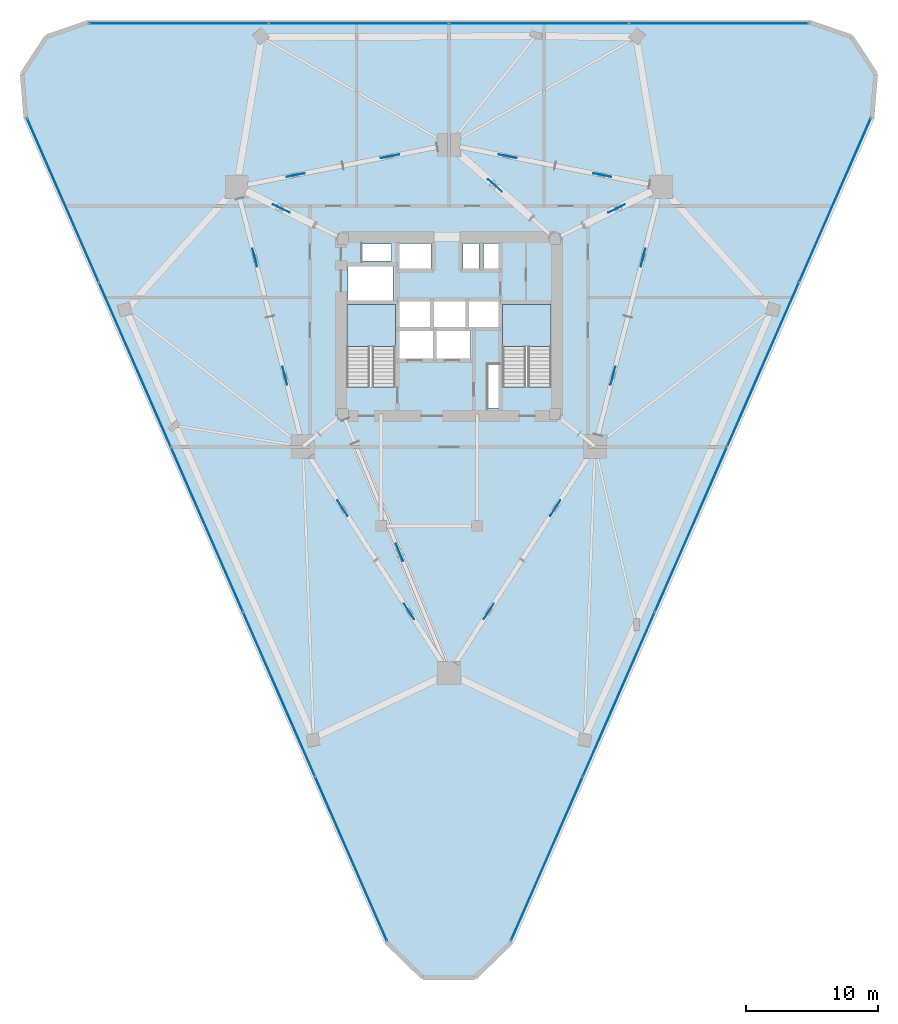
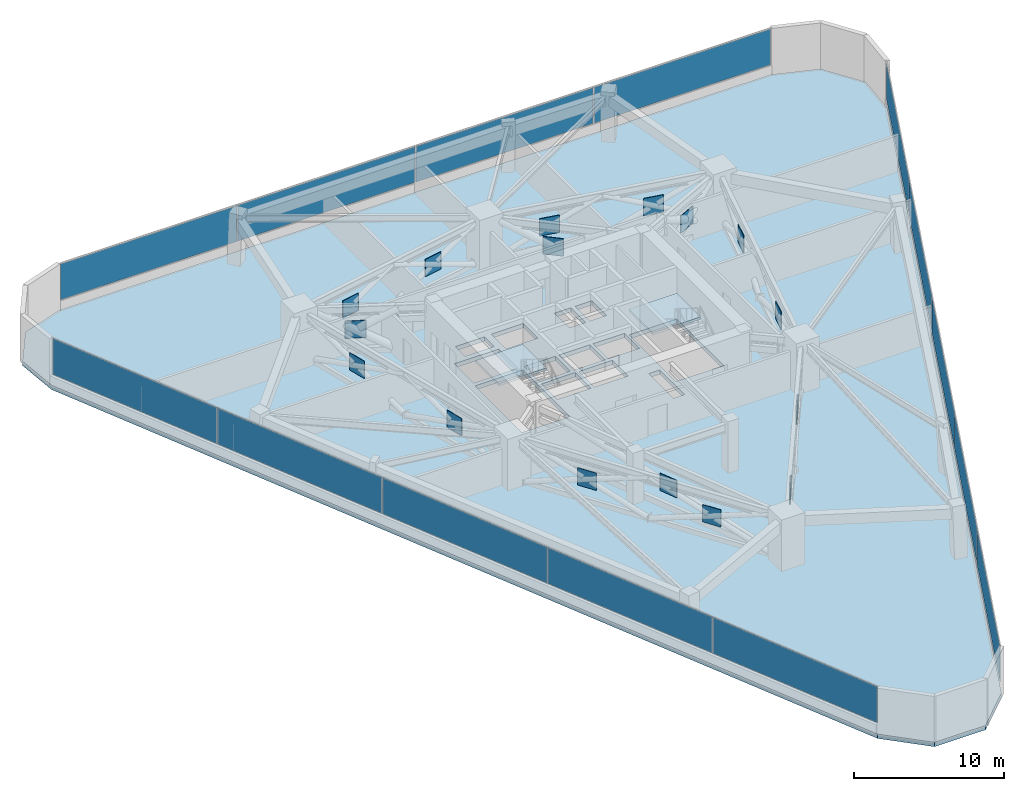
# One storey, part 15 of 20: 30 plates, 3 slabs, 5 elements without a shape of their own.
"""IFC4 building model written with IfcOpenShell, lengths in metres."""

from ifc_helpers import new_model, si_unit, direction, frame, origin, origin_2d, place, context, subcontext, project, spatial, polyline, rectangle, outline, extrude, material, layer, layer_set, type_object, element, aggregate, save


model = new_model("IFC4")

# Units and contexts
model_context = context("Model", 3, precision=1e-05, world=origin(), true_north=direction((0.0, 1.0)))
body_context = subcontext(model_context, "Body", "Model", "MODEL_VIEW")
ifc_project = project(units=[si_unit("LENGTHUNIT", "METRE"), si_unit("AREAUNIT", "SQUARE_METRE"), si_unit("VOLUMEUNIT", "CUBIC_METRE"), si_unit("PLANEANGLEUNIT", "RADIAN"), si_unit("MASSUNIT", "GRAM", prefix="KILO")], contexts=[model_context])

# Site, building, storey
site_placement = place(None, origin())
site = spatial("IfcSite", under=ifc_project, at=site_placement, CompositionType="ELEMENT")
building_placement = place(site_placement, origin())
building = spatial("IfcBuilding", under=site, at=building_placement, Name="Talyreon Biosciences Tower", CompositionType="ELEMENT")
storey_placement = place(building_placement, frame((0.0, 0.0, 66.60009765625)))
storey = spatial("IfcBuildingStorey", under=building, at=storey_placement, Name="L17", CompositionType="ELEMENT", Elevation=66.60009765625)

# Curtain wall, plates
ifc_material_1 = material(Name="Thermally broken aluminium and low-E glazing", Category="aluminium")
ifc_layer_1 = layer(ifc_material_1, 0.195068359375)
ifc_layer_set_1 = layer_set([ifc_layer_1], Name="Thermally broken aluminium and low-E glazing")
curtain_wall_type = type_object("IfcCurtainWallType", Name="CurtainWall_Zone1WetLab", PredefinedType="NOTDEFINED", material=ifc_layer_set_1)
curtain_wall_1_placement = place(storey_placement, origin())
curtain_wall_1 = element("IfcCurtainWall", 1, at=curtain_wall_1_placement, inside=storey, type_object=curtain_wall_type, Name="L17 Unitised Curtain Wall FCW-L17-00", PredefinedType="NOTDEFINED")
ifc_material_2 = material(Name="Triple-silver low-E insulated glazing", Category="glass")
ifc_layer_2 = layer(ifc_material_2, 0.031982421875)
ifc_layer_set_2 = layer_set([ifc_layer_2], Name="Triple-silver low-E insulated glazing")
plate_type_1 = type_object("IfcPlateType", Name="CWGlazingPanel_32", PredefinedType="CURTAIN_PANEL", material=ifc_layer_set_2)
plate_1_placement = place(storey_placement, frame((58.56787109375, 27.5888671875, 0.875), z_axis=(0.0, 0.0, 1.0), x_axis=(-0.400831135099, 0.916151953082, 0.0)))
plate_1 = element("IfcPlate", 2, at=plate_1_placement, type_object=plate_type_1, Name="CW2 panel 1.1", PredefinedType="CURTAIN_PANEL", context=body_context, shape_type="SweptSolid", body=[
    extrude(rectangle(XDim=13.549072265625, YDim=0.031982421875, at=origin_2d()), origin(), (0.0, 0.0, 1.0), 2.909912109375),
])
plate_2_placement = place(storey_placement, frame((53.104248046875, 40.076416015625, 0.875), z_axis=(0.0, 0.0, 1.0), x_axis=(-0.400831135099, 0.916151953082, 0.0)))
plate_2 = element("IfcPlate", 3, at=plate_2_placement, type_object=plate_type_1, Name="CW2 panel 2.1", PredefinedType="CURTAIN_PANEL", context=body_context, shape_type="SweptSolid", body=[
    extrude(rectangle(XDim=13.58154296875, YDim=0.031982421875, at=origin_2d()), origin(), (0.0, 0.0, 1.0), 2.909912109375),
])
plate_3_placement = place(storey_placement, frame((47.63427734375, 52.578857421875, 0.875), z_axis=(0.0, 0.0, 1.0), x_axis=(-0.400831135099, 0.916151953082, 0.0)))
plate_3 = element("IfcPlate", 4, at=plate_3_placement, type_object=plate_type_1, Name="CW2 panel 3.1", PredefinedType="CURTAIN_PANEL", context=body_context, shape_type="SweptSolid", body=[
    extrude(rectangle(XDim=13.58154296875, YDim=0.031982421875, at=origin_2d()), origin(), (0.0, 0.0, 1.0), 2.909912109375),
])
plate_4_placement = place(storey_placement, frame((42.164306640625, 65.081298828125, 0.875), z_axis=(0.0, 0.0, 1.0), x_axis=(-0.400831135099, 0.916151953082, 0.0)))
plate_4 = element("IfcPlate", 5, at=plate_4_placement, type_object=plate_type_1, Name="CW2 panel 4.1", PredefinedType="CURTAIN_PANEL", context=body_context, shape_type="SweptSolid", body=[
    extrude(rectangle(XDim=13.58154296875, YDim=0.031982421875, at=origin_2d()), origin(), (0.0, 0.0, 1.0), 2.909912109375),
])
plate_5_placement = place(storey_placement, frame((36.700927734375, 77.568603515625, 0.875), z_axis=(0.0, 0.0, 1.0), x_axis=(-0.400831135099, 0.916151953082, 0.0)))
plate_5 = element("IfcPlate", 6, at=plate_5_placement, type_object=plate_type_1, Name="CW2 panel 5.1", PredefinedType="CURTAIN_PANEL", context=body_context, shape_type="SweptSolid", body=[
    extrude(rectangle(XDim=13.549072265625, YDim=0.031982421875, at=origin_2d()), origin(), (0.0, 0.0, 1.0), 2.909912109375),
])
aggregate(curtain_wall_1, [plate_1, plate_2, plate_3, plate_4, plate_5])

curtain_wall_2_placement = place(storey_placement, origin())
curtain_wall_2 = element("IfcCurtainWall", 7, at=curtain_wall_2_placement, inside=storey, type_object=curtain_wall_type, Name="L17 Unitised Curtain Wall FCW-L17-04", PredefinedType="NOTDEFINED")
plate_6_placement = place(storey_placement, frame((45.503662109375, 91.007080078125, 0.875), z_axis=(0.0, 0.0, 1.0), x_axis=(1.0, 0.0, 0.0)))
plate_6 = element("IfcPlate", 8, at=plate_6_placement, type_object=plate_type_1, Name="CW2 panel 1.1", PredefinedType="CURTAIN_PANEL", context=body_context, shape_type="SweptSolid", body=[
    extrude(rectangle(XDim=13.577392578125, YDim=0.031982421875, at=origin_2d()), origin(), (0.0, 0.0, 1.0), 2.909912109375),
])
plate_7_placement = place(storey_placement, frame((59.16259765625, 91.007080078125, 0.875), z_axis=(0.0, 0.0, 1.0), x_axis=(1.0, 0.0, 0.0)))
plate_7 = element("IfcPlate", 9, at=plate_7_placement, type_object=plate_type_1, Name="CW2 panel 2.1", PredefinedType="CURTAIN_PANEL", context=body_context, shape_type="SweptSolid", body=[
    extrude(rectangle(XDim=13.610107421875, YDim=0.031982421875, at=origin_2d()), origin(), (0.0, 0.0, 1.0), 2.909912109375),
])
plate_8_placement = place(storey_placement, frame((72.83740234375, 91.007080078125, 0.875), z_axis=(0.0, 0.0, 1.0), x_axis=(1.0, 0.0, 0.0)))
plate_8 = element("IfcPlate", 10, at=plate_8_placement, type_object=plate_type_1, Name="CW2 panel 3.1", PredefinedType="CURTAIN_PANEL", context=body_context, shape_type="SweptSolid", body=[
    extrude(rectangle(XDim=13.610107421875, YDim=0.031982421875, at=origin_2d()), origin(), (0.0, 0.0, 1.0), 2.909912109375),
])
plate_9_placement = place(storey_placement, frame((86.496337890625, 91.007080078125, 0.875), z_axis=(0.0, 0.0, 1.0), x_axis=(1.0, 0.0, 0.0)))
plate_9 = element("IfcPlate", 11, at=plate_9_placement, type_object=plate_type_1, Name="CW2 panel 4.1", PredefinedType="CURTAIN_PANEL", context=body_context, shape_type="SweptSolid", body=[
    extrude(rectangle(XDim=13.577392578125, YDim=0.031982421875, at=origin_2d()), origin(), (0.0, 0.0, 1.0), 2.909912109375),
])
aggregate(curtain_wall_2, [plate_6, plate_7, plate_8, plate_9])

curtain_wall_3_placement = place(storey_placement, origin())
curtain_wall_3 = element("IfcCurtainWall", 12, at=curtain_wall_3_placement, inside=storey, type_object=curtain_wall_type, Name="L17 Unitised Curtain Wall FCW-L17-08", PredefinedType="NOTDEFINED")
plate_10_placement = place(storey_placement, frame((95.299072265625, 77.568603515625, 0.875), z_axis=(0.0, 0.0, 1.0), x_axis=(-0.400831135099, -0.916151953082, 0.0)))
plate_10 = element("IfcPlate", 13, at=plate_10_placement, type_object=plate_type_1, Name="CW2 panel 1.1", PredefinedType="CURTAIN_PANEL", context=body_context, shape_type="SweptSolid", body=[
    extrude(rectangle(XDim=13.549072265625, YDim=0.031982421875, at=origin_2d()), origin(), (0.0, 0.0, 1.0), 2.909912109375),
])
plate_11_placement = place(storey_placement, frame((89.835693359375, 65.081298828125, 0.875), z_axis=(0.0, 0.0, 1.0), x_axis=(-0.400831135099, -0.916151953082, 0.0)))
plate_11 = element("IfcPlate", 14, at=plate_11_placement, type_object=plate_type_1, Name="CW2 panel 2.1", PredefinedType="CURTAIN_PANEL", context=body_context, shape_type="SweptSolid", body=[
    extrude(rectangle(XDim=13.58154296875, YDim=0.031982421875, at=origin_2d()), origin(), (0.0, 0.0, 1.0), 2.909912109375),
])
plate_12_placement = place(storey_placement, frame((84.36572265625, 52.578857421875, 0.875), z_axis=(0.0, 0.0, 1.0), x_axis=(-0.400831135099, -0.916151953082, 0.0)))
plate_12 = element("IfcPlate", 15, at=plate_12_placement, type_object=plate_type_1, Name="CW2 panel 3.1", PredefinedType="CURTAIN_PANEL", context=body_context, shape_type="SweptSolid", body=[
    extrude(rectangle(XDim=13.58154296875, YDim=0.031982421875, at=origin_2d()), origin(), (0.0, 0.0, 1.0), 2.909912109375),
])
plate_13_placement = place(storey_placement, frame((78.895751953125, 40.076416015625, 0.875), z_axis=(0.0, 0.0, 1.0), x_axis=(-0.400831135099, -0.916151953082, 0.0)))
plate_13 = element("IfcPlate", 16, at=plate_13_placement, type_object=plate_type_1, Name="CW2 panel 4.1", PredefinedType="CURTAIN_PANEL", context=body_context, shape_type="SweptSolid", body=[
    extrude(rectangle(XDim=13.58154296875, YDim=0.031982421875, at=origin_2d()), origin(), (0.0, 0.0, 1.0), 2.909912109375),
])
plate_14_placement = place(storey_placement, frame((73.43212890625, 27.5888671875, 0.875), z_axis=(0.0, 0.0, 1.0), x_axis=(-0.400831135099, -0.916151953082, 0.0)))
plate_14 = element("IfcPlate", 17, at=plate_14_placement, type_object=plate_type_1, Name="CW2 panel 5.1", PredefinedType="CURTAIN_PANEL", context=body_context, shape_type="SweptSolid", body=[
    extrude(rectangle(XDim=13.549072265625, YDim=0.031982421875, at=origin_2d()), origin(), (0.0, 0.0, 1.0), 2.909912109375),
])
aggregate(curtain_wall_3, [plate_10, plate_11, plate_12, plate_13, plate_14])

# Slab
ifc_material_3 = material(Name="Concrete C50/60", Category="concrete")
ifc_layer_3 = layer(ifc_material_3, 0.35009765625)
ifc_layer_set_3 = layer_set([ifc_layer_3], Name="Concrete C50/60")
slab_type_1 = type_object("IfcSlabType", Name="PlantOutriggerSlab_350", PredefinedType="FLOOR", material=ifc_layer_set_3)
slab_1_placement = place(storey_placement, frame((0.0, 0.0, -0.35009765625)))
element("IfcSlab", 18, at=slab_1_placement, inside=storey, type_object=slab_type_1, Name="L17 Structural Floor Slab", PredefinedType="FLOOR", context=body_context, shape_type="SweptSolid", body=[
    extrude(outline(polyline([(61.236083984375, 21.290771484375), (33.885986328125, 83.802734375), (33.60986328125, 87.166748046875), (35.45751953125, 89.99169921875), (38.64990234375, 91.087158203125), (93.35009765625, 91.087158203125), (96.54248046875, 89.99169921875), (98.39013671875, 87.166748046875), (98.114013671875, 83.802734375), (70.763916015625, 21.290771484375), (67.958251953125, 18.557861328125), (64.041748046875, 18.557861328125), (61.236083984375, 21.290771484375)]), holes=[polyline([(61.929931640625, 69.64990234375), (61.929931640625, 63.407958984375), (58.25, 63.407958984375), (58.25, 69.64990234375), (61.929931640625, 69.64990234375)]), polyline([(64.800048828125, 65.550048828125), (62.199951171875, 65.550048828125), (62.199951171875, 67.64990234375), (64.800048828125, 67.64990234375), (64.800048828125, 65.550048828125)]), polyline([(64.60009765625, 67.949951171875), (62.199951171875, 67.949951171875), (62.199951171875, 69.949951171875), (64.60009765625, 69.949951171875), (64.60009765625, 67.949951171875)]), polyline([(67.25, 69.949951171875), (67.25, 67.949951171875), (64.85009765625, 67.949951171875), (64.85009765625, 69.949951171875), (67.25, 69.949951171875)]), polyline([(61.75, 69.97998046875), (58.35009765625, 69.97998046875), (58.35009765625, 72.550048828125), (61.75, 72.550048828125), (61.75, 69.97998046875)]), polyline([(64.64990234375, 72.35009765625), (62.199951171875, 72.35009765625), (62.199951171875, 74.300048828125), (64.64990234375, 74.300048828125), (64.64990234375, 72.35009765625)]), polyline([(61.64990234375, 74.25), (61.64990234375, 72.9599609375), (59.39990234375, 72.9599609375), (59.39990234375, 74.25), (61.64990234375, 74.25)]), polyline([(69.820068359375, 61.800048828125), (68.9599609375, 61.800048828125), (68.9599609375, 65.10009765625), (69.820068359375, 65.10009765625), (69.820068359375, 61.800048828125)]), polyline([(73.75, 63.407958984375), (70.070068359375, 63.407958984375), (70.070068359375, 69.64990234375), (73.75, 69.64990234375), (73.75, 63.407958984375)]), polyline([(67.64990234375, 65.550048828125), (65.050048828125, 65.550048828125), (65.050048828125, 67.64990234375), (67.64990234375, 67.64990234375), (67.64990234375, 65.550048828125)]), polyline([(69.89990234375, 67.949951171875), (67.5, 67.949951171875), (67.5, 69.949951171875), (69.89990234375, 69.949951171875), (69.89990234375, 67.949951171875)]), polyline([(68.300048828125, 72.35009765625), (67.050048828125, 72.35009765625), (67.050048828125, 74.300048828125), (68.300048828125, 74.300048828125), (68.300048828125, 72.35009765625)]), polyline([(69.919921875, 72.35009765625), (68.6201171875, 72.35009765625), (68.6201171875, 74.300048828125), (69.919921875, 74.300048828125), (69.919921875, 72.35009765625)])]), origin(), (0.0, 0.0, 1.0), 0.35009765625),
])

# Stair, slab
ifc_material_4 = material(Name="Concrete C40/50", Category="concrete")
stair_type = type_object("IfcStairType", Name="DoglegEscapeStair_4200", PredefinedType="HALF_TURN_STAIR", material=ifc_material_4)
stair_1_placement = place(storey_placement, origin())
stair_1 = element("IfcStair", 19, at=stair_1_placement, inside=storey, type_object=stair_type, Name="L17 Core Escape Stair 1", PredefinedType="HALF_TURN_STAIR")
ifc_layer_4 = layer(ifc_material_4, 0.199951171875)
ifc_layer_set_4 = layer_set([ifc_layer_4], Name="Concrete C40/50")
slab_type_2 = type_object("IfcSlabType", Name="StairLandingSlab_200", PredefinedType="LANDING", material=ifc_layer_set_4)
slab_2_placement = place(storey_placement, frame((0.0, 0.0, 1.89990234375)))
slab_2 = element("IfcSlab", 20, at=slab_2_placement, type_object=slab_type_2, Name="ST-1 landing 1", PredefinedType="LANDING", context=body_context, shape_type="SweptSolid", body=[
    extrude(outline(polyline([(61.929931640625, 66.47998046875), (61.929931640625, 69.64990234375), (58.25, 69.64990234375), (58.25, 66.47998046875), (61.929931640625, 66.47998046875)])), origin(), (0.0, 0.0, 1.0), 0.199951171875),
])
aggregate(stair_1, [slab_2])

stair_2_placement = place(storey_placement, origin())
stair_2 = element("IfcStair", 21, at=stair_2_placement, inside=storey, type_object=stair_type, Name="L17 Core Escape Stair 2", PredefinedType="HALF_TURN_STAIR")
slab_3_placement = place(storey_placement, frame((0.0, 0.0, 1.89990234375)))
slab_3 = element("IfcSlab", 22, at=slab_3_placement, type_object=slab_type_2, Name="ST-2 landing 1", PredefinedType="LANDING", context=body_context, shape_type="SweptSolid", body=[
    extrude(outline(polyline([(73.75, 66.47998046875), (73.75, 69.64990234375), (70.070068359375, 69.64990234375), (70.070068359375, 66.47998046875), (73.75, 66.47998046875)])), origin(), (0.0, 0.0, 1.0), 0.199951171875),
])
aggregate(stair_2, [slab_3])

# Plates
ifc_material_5 = material(Name="Steel SM355", Category="steel")
ifc_layer_5 = layer(ifc_material_5, 0.035888671875)
ifc_layer_set_5 = layer_set([ifc_layer_5], Name="Steel SM355")
plate_type_2 = type_object("IfcPlateType", Name="TrussGussetNodePlate_36", PredefinedType="SHEET", material=ifc_layer_set_5)
for number, where, z_axis, x_axis, name in (
    (23, (62.24755859375, 50.842041015625, 1.219970703125), (0.0, 0.0, 1.0), (0.378535538423, -0.925586757766, 0.0), "Truss node plate NP-OUT-L17-R1-X"),
    (24, (78.72265625, 76.94140625, 1.219970703125), (0.0, 0.0, 1.0), (0.89785858505, 0.440283955252, 0.0), "Truss node plate NP-OUT-L17-R3-X"),
    (25, (69.486328125, 78.697021484375, 1.219970703125), (0.0, 0.0, 1.0), (-0.748180360492, 0.663495401773, 0.0), "Truss node plate NP-OUT-L17-R4-X"),
    (26, (53.27734375, 76.94140625, 1.219970703125), (0.0, 0.0, 1.0), (-0.89785858505, 0.440283955252, 0.0), "Truss node plate NP-OUT-L17-R5-X"),
    (27, (69.017822265625, 46.352783203125, 1.219970703125), (0.0, 0.0, 1.0), (0.54145878531, 0.840727294555, 0.0), "Truss node plate NP-BELT-L17-B1S1-X"),
    (28, (74.068359375, 54.194580078125, 1.219970703125), (0.0, 0.0, 1.0), (0.541473458687, 0.840717844189, 0.0), "Truss node plate NP-BELT-L17-B1S2-X"),
    (29, (78.452392578125, 64.2509765625, 1.219970703125), (0.0, 0.0, 1.0), (0.246542347409, 0.969132019352, 0.0), "Truss node plate NP-BELT-L17-B2S1-X"),
    (30, (80.736083984375, 73.228271484375, 1.219970703125), (0.0, 0.0, 1.0), (0.246542347409, 0.969132019352, 0.0), "Truss node plate NP-BELT-L17-B2S2-X"),
    (31, (77.630615234375, 79.484619140625, 1.219970703125), (0.0, 0.0, 1.0), (-0.980934809797, 0.194337075538, 0.0), "Truss node plate NP-BELT-L17-B3S1-X"),
    (32, (70.471923828125, 80.90283203125, 1.219970703125), (0.0, 0.0, 1.0), (-0.980934809797, 0.194337075538, 0.0), "Truss node plate NP-BELT-L17-B3S2-X"),
    (33, (61.528076171875, 80.90283203125, 1.219970703125), (0.0, 0.0, 1.0), (-0.980934809797, -0.194337075538, 0.0), "Truss node plate NP-BELT-L17-B4S1-X"),
    (34, (54.369384765625, 79.484619140625, 1.219970703125), (0.0, 0.0, 1.0), (-0.980934809797, -0.194337075538, 0.0), "Truss node plate NP-BELT-L17-B4S2-X"),
    (35, (51.263916015625, 73.228271484375, 1.219970703125), (0.0, 0.0, 1.0), (0.246542347409, -0.969132019352, 0.0), "Truss node plate NP-BELT-L17-B5S1-X"),
    (36, (53.547607421875, 64.2509765625, 1.219970703125), (0.0, 0.0, 1.0), (0.246542347409, -0.969132019352, 0.0), "Truss node plate NP-BELT-L17-B5S2-X"),
    (37, (57.931640625, 54.194580078125, 1.219970703125), (0.0, 0.0, 1.0), (0.541473458687, -0.840717844189, 0.0), "Truss node plate NP-BELT-L17-B6S1-X"),
    (38, (62.982177734375, 46.352783203125, 1.219970703125), (0.0, 0.0, 1.0), (0.54145878531, -0.840727294555, 0.0), "Truss node plate NP-BELT-L17-B6S2-X"),
):
    element("IfcPlate", number, at=place(storey_placement, frame(where, z_axis=z_axis, x_axis=x_axis)), inside=storey, type_object=plate_type_2, Name=name, PredefinedType="SHEET", context=body_context, shape_type="SweptSolid", body=[
        extrude(rectangle(XDim=1.39990234375, YDim=0.035888671875, at=origin_2d()), origin(), (0.0, 0.0, 1.0), 1.39990234375),
    ])

save(model, "model.ifc")
